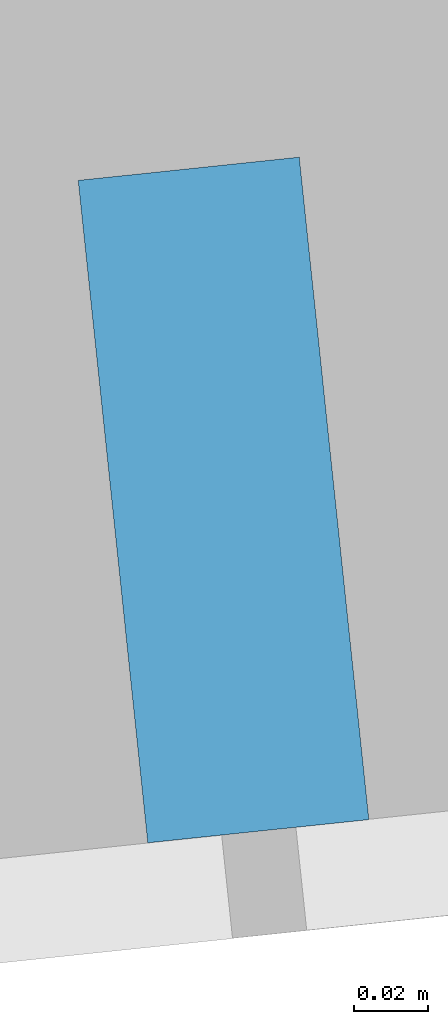
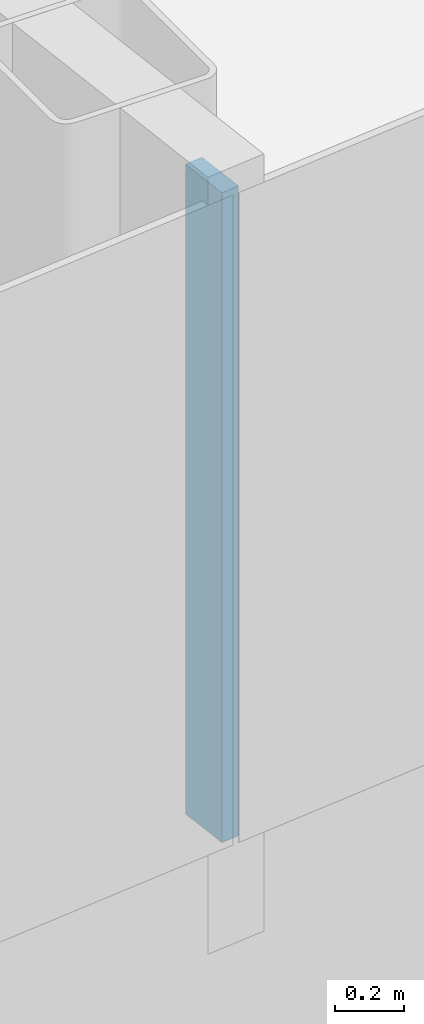
# One storey, part 5 of 26: 1 member, 1 element without a shape of its own.
"""IFC4 building model written with IfcOpenShell, lengths in metres."""

import ifcopenshell
import ifcopenshell.guid

model = None  # the IFC model being written
_history = None  # IfcOwnerHistory: only IFC2X3 demands one
_inside = {}  # id of a spatial element -> (the spatial element, [elements in it])
_under = {}  # id of a project, library or spatial element -> (it, [spatial elements below it])
_declared = {}  # id of a project -> (the project, [libraries it declares])
_typed = {}  # id of a type object -> (the type object, [elements of that type])
_made_of = {}  # id of a material, layer set ... -> (it, [elements and type objects made of it])


def new_model(schema):
    """Start an empty IFC model of exactly this schema.

    Asked for "IFC4X3", IfcOpenShell would pick the latest addendum, in which some entities
    have other attributes; the version numbers below select the first issue.
    IFC2X3 requires an IfcOwnerHistory on every rooted entity: one is made here for all.
    """
    global model, _history
    if schema == "IFC4X3":
        model = ifcopenshell.file(schema_version=(4, 3, 0, 0))
    else:
        model = ifcopenshell.file(schema=schema)
    _inside.clear()
    _under.clear()
    _declared.clear()
    _typed.clear()
    _made_of.clear()
    _history = None
    if model.schema == "IFC2X3":
        org = make("IfcOrganization", Name="unknown")
        user = make(
            "IfcPersonAndOrganization",
            ThePerson=make("IfcPerson", FamilyName="unknown"),
            TheOrganization=org,
        )
        app = make(
            "IfcApplication",
            ApplicationDeveloper=org,
            Version="unknown",
            ApplicationFullName="unknown",
            ApplicationIdentifier="unknown",
        )
        _history = make(
            "IfcOwnerHistory",
            OwningUser=user,
            OwningApplication=app,
            ChangeAction="ADDED",
            CreationDate=0,
        )
    return model


def make(cls, **values):
    """One entity of the class cls with the attributes given. An attribute that is None is left unset."""
    return model.create_entity(
        cls, **{name: value for name, value in values.items() if value is not None}
    )


def rooted(cls, **values):
    """An entity with a GlobalId (a new one), such as an element, a storey or a relation."""
    return make(cls, GlobalId=ifcopenshell.guid.new(), OwnerHistory=_history, **values)


def si_unit(unit_type, name, prefix=None):
    """IfcSIUnit, for example si_unit("LENGTHUNIT", "METRE", prefix="MILLI")."""
    return make("IfcSIUnit", UnitType=unit_type, Prefix=prefix, Name=name)


def assignment(units):
    """IfcUnitAssignment: the units of a project."""
    return None if units is None else make("IfcUnitAssignment", Units=units)


def point(xyz):
    """IfcCartesianPoint."""
    return None if xyz is None else make("IfcCartesianPoint", Coordinates=xyz)


def direction(xyz):
    """IfcDirection."""
    return None if xyz is None else make("IfcDirection", DirectionRatios=xyz)


def frame(location, z_axis=None, x_axis=None):
    """IfcAxis2Placement3D, a coordinate frame: its origin and axes. An axis left out is left unset."""
    return make(
        "IfcAxis2Placement3D",
        Location=point(location),
        Axis=direction(z_axis),
        RefDirection=direction(x_axis),
    )


def frame_2d(location, x_axis=None):
    """IfcAxis2Placement2D, a coordinate frame in the plane: its origin and x axis."""
    return make(
        "IfcAxis2Placement2D", Location=point(location), RefDirection=direction(x_axis)
    )


def origin():
    """The frame at (0, 0, 0) with its axes left unset."""
    return frame((0.0, 0.0, 0.0))


def origin_2d():
    """The frame at (0, 0) in the plane with its x axis left unset."""
    return frame_2d((0.0, 0.0))


def place(relative_to, where):
    """IfcLocalPlacement: puts the frame where relative to a parent placement (None: the world)."""
    return make(
        "IfcLocalPlacement", PlacementRelTo=relative_to, RelativePlacement=where
    )


def context(
    kind, dimensions, precision=None, world=None, true_north=None, identifier=None
):
    """IfcGeometricRepresentationContext, for example the 3D "Model" context."""
    return make(
        "IfcGeometricRepresentationContext",
        ContextIdentifier=identifier,
        ContextType=kind,
        CoordinateSpaceDimension=dimensions,
        Precision=precision,
        WorldCoordinateSystem=world,
        TrueNorth=true_north,
    )


def subcontext(parent, identifier, kind, view, scale=None):
    """IfcGeometricRepresentationSubContext, for example "Body" below "Model"."""
    return make(
        "IfcGeometricRepresentationSubContext",
        ContextIdentifier=identifier,
        ContextType=kind,
        ParentContext=parent,
        TargetScale=scale,
        TargetView=view,
    )


def project(units=None, contexts=None):
    """IfcProject with its units and contexts."""
    return rooted(
        "IfcProject",
        Name="project",
        RepresentationContexts=contexts,
        UnitsInContext=assignment(units),
    )


def spatial(cls, under=None, at=None, **own):
    """A site, building, storey or space (cls), placed at a placement, below another one or the project."""
    s = rooted(cls, ObjectPlacement=at, **own)
    if under is not None:
        _under.setdefault(under.id(), (under, []))[1].append(s)
    return s


def profile(cls, at=None, kind="AREA", **sizes):
    """A parametric profile (cls). Its sizes go by their IFC names, for example OverallWidth=200.0."""
    return make(cls, ProfileType=kind, Position=at, **sizes)


def rectangle(**sizes):
    """IfcRectangleProfileDef."""
    return profile("IfcRectangleProfileDef", **sizes)


def extrude(swept, where, along, depth):
    """IfcExtrudedAreaSolid: the profile swept, set in the frame where, extruded along a direction by depth."""
    return make(
        "IfcExtrudedAreaSolid",
        SweptArea=swept,
        Position=where,
        ExtrudedDirection=direction(along),
        Depth=depth,
    )


def shape(context_of_items, identifier, shape_type, items):
    """IfcShapeRepresentation: the items that make up one representation, for example the "Body"."""
    return make(
        "IfcShapeRepresentation",
        ContextOfItems=context_of_items,
        RepresentationIdentifier=identifier,
        RepresentationType=shape_type,
        Items=items,
    )


def material(Name=None, Category=None):
    """IfcMaterial."""
    return make("IfcMaterial", Name=Name, Category=Category)


def layer(
    of_material, thickness, ventilated=None, Name=None, Category=None, Priority=None
):
    """IfcMaterialLayer: one layer of a wall or slab, of a material (None: an air gap)."""
    return make(
        "IfcMaterialLayer",
        Material=of_material,
        LayerThickness=thickness,
        IsVentilated=ventilated,
        Name=Name,
        Category=Category,
        Priority=Priority,
    )


def layer_set(layers, Name=None):
    """IfcMaterialLayerSet."""
    return make("IfcMaterialLayerSet", MaterialLayers=layers, LayerSetName=Name)


def material_profile(
    of_material, cross_section, Name=None, Category=None, Priority=None
):
    """IfcMaterialProfile: a cross section and its material."""
    return make(
        "IfcMaterialProfile",
        Name=Name,
        Material=of_material,
        Profile=cross_section,
        Priority=Priority,
        Category=Category,
    )


def profile_set(profiles, Name=None, composite=None):
    """IfcMaterialProfileSet."""
    return make(
        "IfcMaterialProfileSet",
        Name=Name,
        MaterialProfiles=profiles,
        CompositeProfile=composite,
    )


def made_of(thing, what):
    """Note that an element or type object is made of a material, layer set ...; save() writes the relation."""
    if what is not None:
        _made_of.setdefault(what.id(), (what, []))[1].append(thing)
    return thing


def type_object(cls, material=None, **own):
    """A type object (cls), such as IfcWallType, which elements share."""
    return made_of(rooted(cls, **own), material)


def element(
    cls,
    number,
    at=None,
    inside=None,
    cuts=None,
    type_object=None,
    material=None,
    context=None,
    identifier="Body",
    shape_type=None,
    held_by="IfcProductDefinitionShape",
    body=None,
    shapes=None,
    **own,
):
    """One element of the class cls, such as IfcWall. Its Tag is "e" and its number.

    at: its placement. inside: the storey or other place that contains it. cuts: it is an
    opening in that element (IfcRelVoidsElement). A single representation is given by context,
    identifier, shape_type and body (its items); several are given by shapes. held_by: the class
    of the entity that holds the representations. save() writes the other relations.
    """
    e = rooted(cls, Tag="e%d" % number, ObjectPlacement=at, **own)
    if body is not None:
        shapes = [shape(context, identifier, shape_type, body)]
    if shapes is not None:
        e.Representation = make(held_by, Representations=shapes)
    if inside is not None:
        _inside.setdefault(inside.id(), (inside, []))[1].append(e)
    if cuts is not None:
        rooted(
            "IfcRelVoidsElement", RelatingBuildingElement=cuts, RelatedOpeningElement=e
        )
    if type_object is not None:
        _typed.setdefault(type_object.id(), (type_object, []))[1].append(e)
    return made_of(e, material)


def aggregate(whole, parts):
    """IfcRelAggregates: a whole, such as a stair, and the parts it consists of."""
    return rooted("IfcRelAggregates", RelatingObject=whole, RelatedObjects=parts)


def save(model, path):
    """Write the relations noted so far, then the file.

    IfcRelAggregates (storeys below a building ...), IfcRelContainedInSpatialStructure (elements
    in a storey), IfcRelDefinesByType, IfcRelAssociatesMaterial and IfcRelDeclares: one each for
    every whole, place, type object, material and project.
    """
    for whole, parts in _under.values():
        aggregate(whole, parts)
    for where, things in _inside.values():
        rooted(
            "IfcRelContainedInSpatialStructure",
            RelatedElements=things,
            RelatingStructure=where,
        )
    for kind, things in _typed.values():
        rooted("IfcRelDefinesByType", RelatedObjects=things, RelatingType=kind)
    for what, things in _made_of.values():
        rooted("IfcRelAssociatesMaterial", RelatedObjects=things, RelatingMaterial=what)
    for by, libraries in _declared.values():
        rooted("IfcRelDeclares", RelatingContext=by, RelatedDefinitions=libraries)
    model.write(path)


model = new_model("IFC4")

# Units and contexts
model_context = context("Model", 3, precision=1e-05, world=origin(), true_north=direction((0.0, 1.0)))
body_context = subcontext(model_context, "Body", "Model", "MODEL_VIEW")
ifc_project = project(units=[si_unit("LENGTHUNIT", "METRE"), si_unit("AREAUNIT", "SQUARE_METRE"), si_unit("VOLUMEUNIT", "CUBIC_METRE"), si_unit("PLANEANGLEUNIT", "RADIAN"), si_unit("MASSUNIT", "GRAM", prefix="KILO")], contexts=[model_context])

# Site, building, storey
site_placement = place(None, origin())
site = spatial("IfcSite", under=ifc_project, at=site_placement, CompositionType="ELEMENT")
building_placement = place(site_placement, origin())
building = spatial("IfcBuilding", under=site, at=building_placement, Name="Hakoniwa Tower and Hamabe Station Hall", CompositionType="ELEMENT")
storey_placement = place(building_placement, frame((0.0, 0.0, 251.800048828125)))
storey = spatial("IfcBuildingStorey", under=building, at=storey_placement, Name="L71", CompositionType="ELEMENT", Elevation=251.800048828125)

# Curtain wall, member
ifc_material_1 = material(Name="Dark low-e laminated glass", Category="glass")
ifc_layer = layer(ifc_material_1, 0.199951171875)
ifc_layer_set = layer_set([ifc_layer], Name="CW-1 UNITISED GUEST")
curtain_wall_type = type_object("IfcCurtainWallType", Name="CW-1 UNITISED GUEST", PredefinedType="NOTDEFINED", material=ifc_layer_set)
curtain_wall_placement = place(storey_placement, origin())
curtain_wall = element("IfcCurtainWall", 1, at=curtain_wall_placement, inside=storey, type_object=curtain_wall_type, Name="CW-1 curtain wall", PredefinedType="NOTDEFINED")
ifc_material_2 = material(Name="Aluminium 6063-T5 black anodised", Category="aluminium")
ifc_material_profile = material_profile(ifc_material_2, rectangle(XDim=0.06005859375, YDim=0.179931640625, at=origin_2d()), Name="CW-1 MULLION 60X180")
ifc_profile_set = profile_set([ifc_material_profile], Name="Aluminium 6063-T5 black anodised")
member_type = type_object("IfcMemberType", Name="CW-1 MULLION 60X180", PredefinedType="MULLION", material=ifc_profile_set)
member_placement = place(storey_placement, frame((1.7958984375, -14.587890625, 0.349853515625), z_axis=(0.0, 0.0, 1.0), x_axis=(0.994521895272, 0.104528464188, 0.0)))
member = element("IfcMember", 2, at=member_placement, type_object=member_type, Name="CW-1 mullion", PredefinedType="MULLION", context=body_context, shape_type="SweptSolid", body=[
    extrude(rectangle(XDim=0.06005859375, YDim=0.179931640625, at=origin_2d()), origin(), (0.0, 0.0, 1.0), 2.300048828125),
])
aggregate(curtain_wall, [member])

save(model, "model.ifc")
